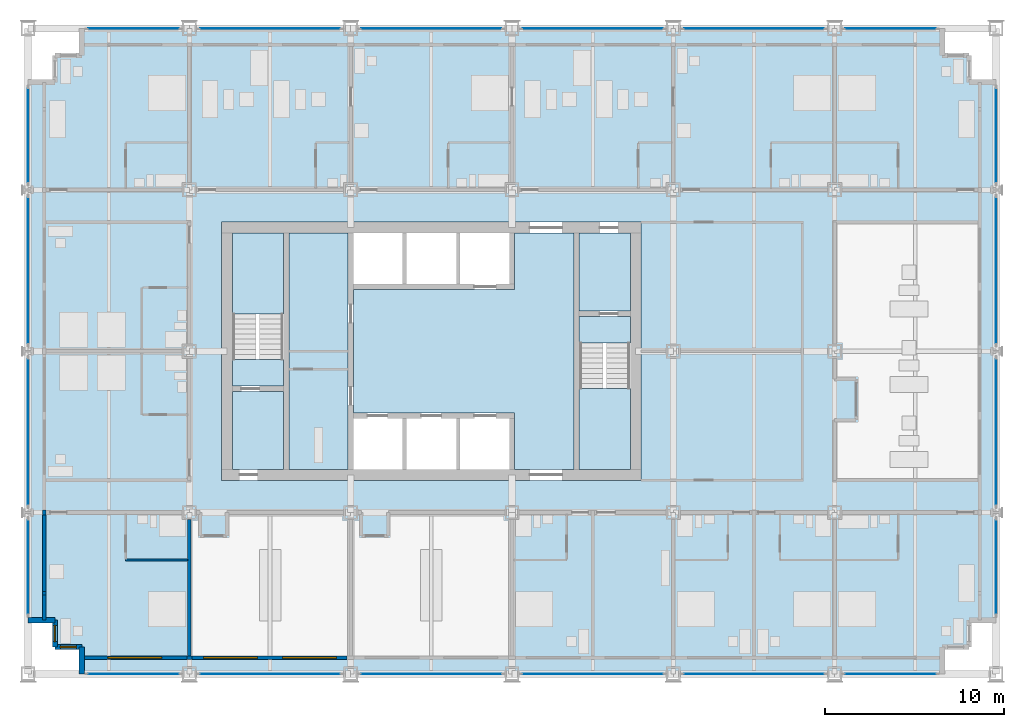
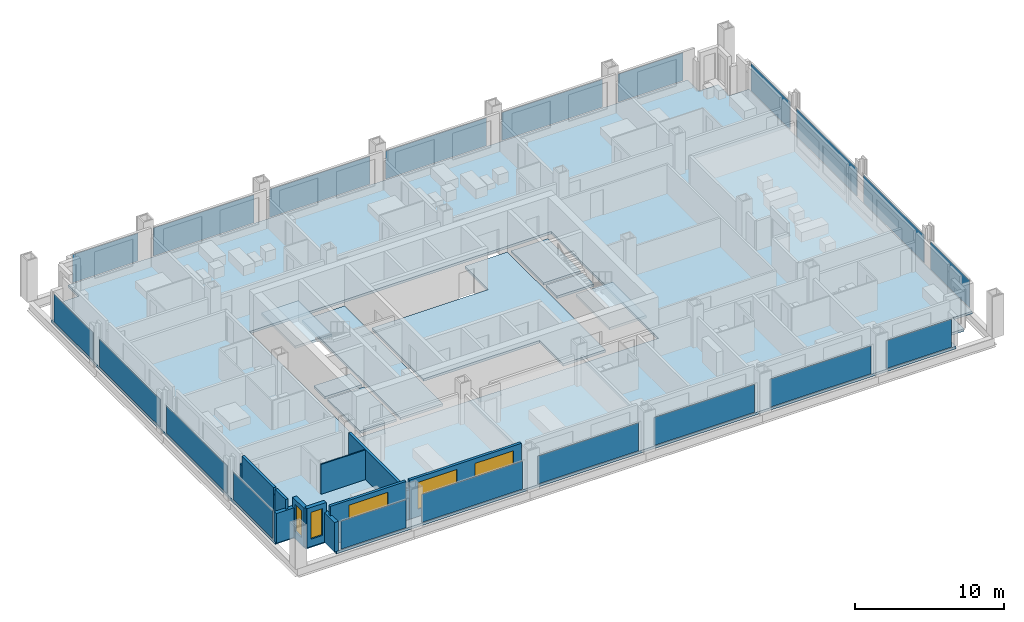
# One storey, part 9 of 18: 20 plates, 13 walls, 9 slabs, 5 windows, 5 openings, 22 elements without a shape of their own.
"""IFC4 building model written with IfcOpenShell, lengths in metres."""

from ifc_helpers import new_model, si_unit, direction, frame, frame_2d, origin, origin_2d, place, context, subcontext, project, spatial, polyline, rectangle, outline, extrude, material, layer, layer_set, type_object, element, fill, aggregate, save


model = new_model("IFC4")

# Units and contexts
model_context = context("Model", 3, precision=1e-05, world=origin(), true_north=direction((0.0, 1.0)))
body_context = subcontext(model_context, "Body", "Model", "MODEL_VIEW")
ifc_project = project(units=[si_unit("LENGTHUNIT", "METRE"), si_unit("AREAUNIT", "SQUARE_METRE"), si_unit("VOLUMEUNIT", "CUBIC_METRE"), si_unit("PLANEANGLEUNIT", "RADIAN"), si_unit("MASSUNIT", "GRAM", prefix="KILO")], contexts=[model_context])

# Site, building, storey
site_placement = place(None, origin())
site = spatial("IfcSite", under=ifc_project, at=site_placement, CompositionType="ELEMENT")
building_placement = place(site_placement, origin())
building = spatial("IfcBuilding", under=site, at=building_placement, Name="Loomwork Tower", CompositionType="ELEMENT")
storey_placement = place(building_placement, frame((0.0, 0.0, 28.0)))
storey = spatial("IfcBuildingStorey", under=building, at=storey_placement, Name="L05", CompositionType="ELEMENT", Elevation=28.0)

# Slabs
ifc_material_1 = material(Name="Concrete 5000 psi (34 MPa) on composite metal deck", Category="concrete")
ifc_layer_1 = layer(ifc_material_1, 0.199951171875)
ifc_layer_set_1 = layer_set([ifc_layer_1], Name="Floor slab 200")
slab_type_1 = type_object("IfcSlabType", Name="Floor slab 200", PredefinedType="FLOOR", material=ifc_layer_set_1)
slab_1_placement = place(storey_placement, frame((0.0, 0.0, -0.199951171875)))
element("IfcSlab", 1, at=slab_1_placement, inside=storey, type_object=slab_type_1, Name="Floor slab L05", PredefinedType="FLOOR", context=body_context, shape_type="SweptSolid", body=[
    extrude(outline(polyline([(3.0, 1.5), (1.5, 1.5), (1.5, 3.0), (0.0, 3.0), (0.0, 33.0), (1.5, 33.0), (1.5, 34.5), (3.0, 34.5), (3.0, 36.0), (51.0, 36.0), (51.0, 34.5), (52.5, 34.5), (52.5, 33.0), (54.0, 33.0), (54.0, 3.0), (52.5, 3.0), (52.5, 1.5), (51.0, 1.5), (51.0, 0.0), (3.0, 0.0), (3.0, 1.5)]), holes=[polyline([(10.800048828125, 11.39990234375), (10.800048828125, 11.39990234375), (10.800048828125, 10.800048828125), (34.199951171875, 10.800048828125), (34.199951171875, 11.39990234375), (34.199951171875, 11.39990234375), (34.199951171875, 24.60009765625), (34.199951171875, 25.199951171875), (10.800048828125, 25.199951171875), (10.800048828125, 24.60009765625), (10.800048828125, 11.39990234375)])]), origin(), (0.0, 0.0, 1.0), 0.199951171875),
])
slab_2_placement = place(storey_placement, frame((0.0, 0.0, -0.199951171875)))
element("IfcSlab", 2, at=slab_2_placement, inside=storey, type_object=slab_type_1, Name="Floor slab L05", PredefinedType="FLOOR", context=body_context, shape_type="SweptSolid", body=[
    extrude(outline(polyline([(30.449951171875, 24.60009765625), (30.449951171875, 11.39990234375), (27.14990234375, 11.39990234375), (27.14990234375, 14.25), (27.14990234375, 14.550048828125), (18.14990234375, 14.550048828125), (18.14990234375, 21.449951171875), (27.14990234375, 21.449951171875), (27.14990234375, 21.75), (27.14990234375, 24.60009765625), (30.449951171875, 24.60009765625)])), origin(), (0.0, 0.0, 1.0), 0.199951171875),
])
slab_3_placement = place(storey_placement, frame((0.0, 0.0, -0.199951171875)))
element("IfcSlab", 3, at=slab_3_placement, inside=storey, type_object=slab_type_1, Name="Floor slab L05", PredefinedType="FLOOR", context=body_context, shape_type="SweptSolid", body=[
    extrude(outline(polyline([(14.550048828125, 11.39990234375), (14.550048828125, 24.60009765625), (17.85009765625, 24.60009765625), (17.85009765625, 11.39990234375), (14.550048828125, 11.39990234375)])), origin(), (0.0, 0.0, 1.0), 0.199951171875),
])
slab_4_placement = place(storey_placement, frame((0.0, 0.0, -0.199951171875)))
element("IfcSlab", 4, at=slab_4_placement, inside=storey, type_object=slab_type_1, Name="Floor slab L05", PredefinedType="FLOOR", context=body_context, shape_type="SweptSolid", body=[
    extrude(outline(polyline([(33.60009765625, 20.25), (30.75, 20.25), (30.75, 24.60009765625), (33.60009765625, 24.60009765625), (33.60009765625, 20.25)])), origin(), (0.0, 0.0, 1.0), 0.199951171875),
])
slab_5_placement = place(storey_placement, frame((0.0, 0.0, -0.199951171875)))
element("IfcSlab", 5, at=slab_5_placement, inside=storey, type_object=slab_type_1, Name="Floor slab L05", PredefinedType="FLOOR", context=body_context, shape_type="SweptSolid", body=[
    extrude(outline(polyline([(14.25, 15.75), (14.25, 11.39990234375), (11.39990234375, 11.39990234375), (11.39990234375, 15.75), (14.25, 15.75)])), origin(), (0.0, 0.0, 1.0), 0.199951171875),
])

# Curtain wall, plate
ifc_material_2 = material(Name="Aluminium curtain wall frame", Category="aluminium")
curtain_wall_type = type_object("IfcCurtainWallType", Name="Outer skin glazing hotel", PredefinedType="NOTDEFINED", material=ifc_material_2)
curtain_wall_1_placement = place(storey_placement, origin())
curtain_wall_1 = element("IfcCurtainWall", 6, at=curtain_wall_1_placement, inside=storey, type_object=curtain_wall_type, Name="Outer skin glazing hotel cw/S-0", PredefinedType="NOTDEFINED")
ifc_material_3 = material(Name="Clear laminated glass", Category="glass")
ifc_layer_2 = layer(ifc_material_3, 0.02392578125)
ifc_layer_set_2 = layer_set([ifc_layer_2], Name="Outer skin glazing hotel panel")
plate_type = type_object("IfcPlateType", Name="Outer skin glazing hotel panel", PredefinedType="CURTAIN_PANEL", material=ifc_layer_set_2)
plate_1_placement = place(storey_placement, frame((5.875, 0.0, 0.06494140625), z_axis=(0.0, 0.0, 1.0), x_axis=(1.0, 0.0, 0.0)))
plate_1 = element("IfcPlate", 7, at=plate_1_placement, type_object=plate_type, Name="CW1 panel 1.1", PredefinedType="CURTAIN_PANEL", context=body_context, shape_type="SweptSolid", body=[
    extrude(rectangle(XDim=5.050048828125, YDim=0.02392578125, at=origin_2d()), origin(), (0.0, 0.0, 1.0), 2.290283203125),
])
aggregate(curtain_wall_1, [plate_1])

curtain_wall_2_placement = place(storey_placement, origin())
curtain_wall_2 = element("IfcCurtainWall", 8, at=curtain_wall_2_placement, inside=storey, type_object=curtain_wall_type, Name="Outer skin glazing hotel cw/S-9", PredefinedType="NOTDEFINED")
plate_2_placement = place(storey_placement, frame((13.5, 0.0, 0.06494140625), z_axis=(0.0, 0.0, 1.0), x_axis=(1.0, 0.0, 0.0)))
plate_2 = element("IfcPlate", 9, at=plate_2_placement, type_object=plate_type, Name="CW1 panel 1.1", PredefinedType="CURTAIN_PANEL", context=body_context, shape_type="SweptSolid", body=[
    extrude(rectangle(XDim=7.800048828125, YDim=0.02392578125, at=origin_2d()), origin(), (0.0, 0.0, 1.0), 2.290283203125),
])
aggregate(curtain_wall_2, [plate_2])

curtain_wall_3_placement = place(storey_placement, origin())
curtain_wall_3 = element("IfcCurtainWall", 10, at=curtain_wall_3_placement, inside=storey, type_object=curtain_wall_type, Name="Outer skin glazing hotel cw/S-18", PredefinedType="NOTDEFINED")
plate_3_placement = place(storey_placement, frame((22.5, 0.0, 0.06494140625), z_axis=(0.0, 0.0, 1.0), x_axis=(1.0, 0.0, 0.0)))
plate_3 = element("IfcPlate", 11, at=plate_3_placement, type_object=plate_type, Name="CW1 panel 1.1", PredefinedType="CURTAIN_PANEL", context=body_context, shape_type="SweptSolid", body=[
    extrude(rectangle(XDim=7.800048828125, YDim=0.02392578125, at=origin_2d()), origin(), (0.0, 0.0, 1.0), 2.290283203125),
])
aggregate(curtain_wall_3, [plate_3])

curtain_wall_4_placement = place(storey_placement, origin())
curtain_wall_4 = element("IfcCurtainWall", 12, at=curtain_wall_4_placement, inside=storey, type_object=curtain_wall_type, Name="Outer skin glazing hotel cw/S-27", PredefinedType="NOTDEFINED")
plate_4_placement = place(storey_placement, frame((31.5, 0.0, 0.06494140625), z_axis=(0.0, 0.0, 1.0), x_axis=(1.0, 0.0, 0.0)))
plate_4 = element("IfcPlate", 13, at=plate_4_placement, type_object=plate_type, Name="CW1 panel 1.1", PredefinedType="CURTAIN_PANEL", context=body_context, shape_type="SweptSolid", body=[
    extrude(rectangle(XDim=7.800048828125, YDim=0.02392578125, at=origin_2d()), origin(), (0.0, 0.0, 1.0), 2.290283203125),
])
aggregate(curtain_wall_4, [plate_4])

curtain_wall_5_placement = place(storey_placement, origin())
curtain_wall_5 = element("IfcCurtainWall", 14, at=curtain_wall_5_placement, inside=storey, type_object=curtain_wall_type, Name="Outer skin glazing hotel cw/S-36", PredefinedType="NOTDEFINED")
plate_5_placement = place(storey_placement, frame((40.5, 0.0, 0.06494140625), z_axis=(0.0, 0.0, 1.0), x_axis=(1.0, 0.0, 0.0)))
plate_5 = element("IfcPlate", 15, at=plate_5_placement, type_object=plate_type, Name="CW1 panel 1.1", PredefinedType="CURTAIN_PANEL", context=body_context, shape_type="SweptSolid", body=[
    extrude(rectangle(XDim=7.800048828125, YDim=0.02392578125, at=origin_2d()), origin(), (0.0, 0.0, 1.0), 2.290283203125),
])
aggregate(curtain_wall_5, [plate_5])

curtain_wall_6_placement = place(storey_placement, origin())
curtain_wall_6 = element("IfcCurtainWall", 16, at=curtain_wall_6_placement, inside=storey, type_object=curtain_wall_type, Name="Outer skin glazing hotel cw/S-45", PredefinedType="NOTDEFINED")
plate_6_placement = place(storey_placement, frame((48.125, 0.0, 0.06494140625), z_axis=(0.0, 0.0, 1.0), x_axis=(1.0, 0.0, 0.0)))
plate_6 = element("IfcPlate", 17, at=plate_6_placement, type_object=plate_type, Name="CW1 panel 1.1", PredefinedType="CURTAIN_PANEL", context=body_context, shape_type="SweptSolid", body=[
    extrude(rectangle(XDim=5.050048828125, YDim=0.02392578125, at=origin_2d()), origin(), (0.0, 0.0, 1.0), 2.290283203125),
])
aggregate(curtain_wall_6, [plate_6])

curtain_wall_7_placement = place(storey_placement, origin())
curtain_wall_7 = element("IfcCurtainWall", 18, at=curtain_wall_7_placement, inside=storey, type_object=curtain_wall_type, Name="Outer skin glazing hotel cw/N-0", PredefinedType="NOTDEFINED")
plate_7_placement = place(storey_placement, frame((5.875, 36.0, 0.06494140625), z_axis=(0.0, 0.0, 1.0), x_axis=(-1.0, 0.0, 0.0)))
plate_7 = element("IfcPlate", 19, at=plate_7_placement, type_object=plate_type, Name="CW1 panel 1.1", PredefinedType="CURTAIN_PANEL", context=body_context, shape_type="SweptSolid", body=[
    extrude(rectangle(XDim=5.050048828125, YDim=0.02392578125, at=origin_2d()), origin(), (0.0, 0.0, 1.0), 2.290283203125),
])
aggregate(curtain_wall_7, [plate_7])

curtain_wall_8_placement = place(storey_placement, origin())
curtain_wall_8 = element("IfcCurtainWall", 20, at=curtain_wall_8_placement, inside=storey, type_object=curtain_wall_type, Name="Outer skin glazing hotel cw/N-9", PredefinedType="NOTDEFINED")
plate_8_placement = place(storey_placement, frame((13.5, 36.0, 0.06494140625), z_axis=(0.0, 0.0, 1.0), x_axis=(-1.0, 0.0, 0.0)))
plate_8 = element("IfcPlate", 21, at=plate_8_placement, type_object=plate_type, Name="CW1 panel 1.1", PredefinedType="CURTAIN_PANEL", context=body_context, shape_type="SweptSolid", body=[
    extrude(rectangle(XDim=7.800048828125, YDim=0.02392578125, at=origin_2d()), origin(), (0.0, 0.0, 1.0), 2.290283203125),
])
aggregate(curtain_wall_8, [plate_8])

curtain_wall_9_placement = place(storey_placement, origin())
curtain_wall_9 = element("IfcCurtainWall", 22, at=curtain_wall_9_placement, inside=storey, type_object=curtain_wall_type, Name="Outer skin glazing hotel cw/N-18", PredefinedType="NOTDEFINED")
plate_9_placement = place(storey_placement, frame((22.5, 36.0, 0.06494140625), z_axis=(0.0, 0.0, 1.0), x_axis=(-1.0, 0.0, 0.0)))
plate_9 = element("IfcPlate", 23, at=plate_9_placement, type_object=plate_type, Name="CW1 panel 1.1", PredefinedType="CURTAIN_PANEL", context=body_context, shape_type="SweptSolid", body=[
    extrude(rectangle(XDim=7.800048828125, YDim=0.02392578125, at=origin_2d()), origin(), (0.0, 0.0, 1.0), 2.290283203125),
])
aggregate(curtain_wall_9, [plate_9])

curtain_wall_10_placement = place(storey_placement, origin())
curtain_wall_10 = element("IfcCurtainWall", 24, at=curtain_wall_10_placement, inside=storey, type_object=curtain_wall_type, Name="Outer skin glazing hotel cw/N-27", PredefinedType="NOTDEFINED")
plate_10_placement = place(storey_placement, frame((31.5, 36.0, 0.06494140625), z_axis=(0.0, 0.0, 1.0), x_axis=(-1.0, 0.0, 0.0)))
plate_10 = element("IfcPlate", 25, at=plate_10_placement, type_object=plate_type, Name="CW1 panel 1.1", PredefinedType="CURTAIN_PANEL", context=body_context, shape_type="SweptSolid", body=[
    extrude(rectangle(XDim=7.800048828125, YDim=0.02392578125, at=origin_2d()), origin(), (0.0, 0.0, 1.0), 2.290283203125),
])
aggregate(curtain_wall_10, [plate_10])

curtain_wall_11_placement = place(storey_placement, origin())
curtain_wall_11 = element("IfcCurtainWall", 26, at=curtain_wall_11_placement, inside=storey, type_object=curtain_wall_type, Name="Outer skin glazing hotel cw/N-36", PredefinedType="NOTDEFINED")
plate_11_placement = place(storey_placement, frame((40.5, 36.0, 0.06494140625), z_axis=(0.0, 0.0, 1.0), x_axis=(-1.0, 0.0, 0.0)))
plate_11 = element("IfcPlate", 27, at=plate_11_placement, type_object=plate_type, Name="CW1 panel 1.1", PredefinedType="CURTAIN_PANEL", context=body_context, shape_type="SweptSolid", body=[
    extrude(rectangle(XDim=7.800048828125, YDim=0.02392578125, at=origin_2d()), origin(), (0.0, 0.0, 1.0), 2.290283203125),
])
aggregate(curtain_wall_11, [plate_11])

curtain_wall_12_placement = place(storey_placement, origin())
curtain_wall_12 = element("IfcCurtainWall", 28, at=curtain_wall_12_placement, inside=storey, type_object=curtain_wall_type, Name="Outer skin glazing hotel cw/N-45", PredefinedType="NOTDEFINED")
plate_12_placement = place(storey_placement, frame((48.125, 36.0, 0.06494140625), z_axis=(0.0, 0.0, 1.0), x_axis=(-1.0, 0.0, 0.0)))
plate_12 = element("IfcPlate", 29, at=plate_12_placement, type_object=plate_type, Name="CW1 panel 1.1", PredefinedType="CURTAIN_PANEL", context=body_context, shape_type="SweptSolid", body=[
    extrude(rectangle(XDim=5.050048828125, YDim=0.02392578125, at=origin_2d()), origin(), (0.0, 0.0, 1.0), 2.290283203125),
])
aggregate(curtain_wall_12, [plate_12])

curtain_wall_13_placement = place(storey_placement, origin())
curtain_wall_13 = element("IfcCurtainWall", 30, at=curtain_wall_13_placement, inside=storey, type_object=curtain_wall_type, Name="Outer skin glazing hotel cw/W-0", PredefinedType="NOTDEFINED")
plate_13_placement = place(storey_placement, frame((0.0, 5.95556640625, 0.06494140625), z_axis=(0.0, 0.0, 1.0), x_axis=(0.0, -1.0, 0.0)))
plate_13 = element("IfcPlate", 31, at=plate_13_placement, type_object=plate_type, Name="CW1 panel 1.1", PredefinedType="CURTAIN_PANEL", context=body_context, shape_type="SweptSolid", body=[
    extrude(rectangle(XDim=5.211181640625, YDim=0.02392578125, at=origin_2d()), origin(), (0.0, 0.0, 1.0), 2.290283203125),
])
aggregate(curtain_wall_13, [plate_13])

curtain_wall_14_placement = place(storey_placement, origin())
curtain_wall_14 = element("IfcCurtainWall", 32, at=curtain_wall_14_placement, inside=storey, type_object=curtain_wall_type, Name="Outer skin glazing hotel cw/W-9", PredefinedType="NOTDEFINED")
plate_14_placement = place(storey_placement, frame((0.0, 13.5, 0.06494140625), z_axis=(0.0, 0.0, 1.0), x_axis=(0.0, -1.0, 0.0)))
plate_14 = element("IfcPlate", 33, at=plate_14_placement, type_object=plate_type, Name="CW1 panel 1.1", PredefinedType="CURTAIN_PANEL", context=body_context, shape_type="SweptSolid", body=[
    extrude(rectangle(XDim=8.122314453125, YDim=0.02392578125, at=origin_2d()), origin(), (0.0, 0.0, 1.0), 2.290283203125),
])
aggregate(curtain_wall_14, [plate_14])

curtain_wall_15_placement = place(storey_placement, origin())
curtain_wall_15 = element("IfcCurtainWall", 34, at=curtain_wall_15_placement, inside=storey, type_object=curtain_wall_type, Name="Outer skin glazing hotel cw/W-18", PredefinedType="NOTDEFINED")
plate_15_placement = place(storey_placement, frame((0.0, 22.5, 0.06494140625), z_axis=(0.0, 0.0, 1.0), x_axis=(0.0, -1.0, 0.0)))
plate_15 = element("IfcPlate", 35, at=plate_15_placement, type_object=plate_type, Name="CW1 panel 1.1", PredefinedType="CURTAIN_PANEL", context=body_context, shape_type="SweptSolid", body=[
    extrude(rectangle(XDim=8.122314453125, YDim=0.02392578125, at=origin_2d()), origin(), (0.0, 0.0, 1.0), 2.290283203125),
])
aggregate(curtain_wall_15, [plate_15])

curtain_wall_16_placement = place(storey_placement, origin())
curtain_wall_16 = element("IfcCurtainWall", 36, at=curtain_wall_16_placement, inside=storey, type_object=curtain_wall_type, Name="Outer skin glazing hotel cw/W-27", PredefinedType="NOTDEFINED")
plate_16_placement = place(storey_placement, frame((0.0, 30.04443359375, 0.06494140625), z_axis=(0.0, 0.0, 1.0), x_axis=(0.0, -1.0, 0.0)))
plate_16 = element("IfcPlate", 37, at=plate_16_placement, type_object=plate_type, Name="CW1 panel 1.1", PredefinedType="CURTAIN_PANEL", context=body_context, shape_type="SweptSolid", body=[
    extrude(rectangle(XDim=5.211181640625, YDim=0.02392578125, at=origin_2d()), origin(), (0.0, 0.0, 1.0), 2.290283203125),
])
aggregate(curtain_wall_16, [plate_16])

curtain_wall_17_placement = place(storey_placement, origin())
curtain_wall_17 = element("IfcCurtainWall", 38, at=curtain_wall_17_placement, inside=storey, type_object=curtain_wall_type, Name="Outer skin glazing hotel cw/E-0", PredefinedType="NOTDEFINED")
plate_17_placement = place(storey_placement, frame((54.0, 5.95556640625, 0.06494140625), z_axis=(0.0, 0.0, 1.0), x_axis=(0.0, 1.0, 0.0)))
plate_17 = element("IfcPlate", 39, at=plate_17_placement, type_object=plate_type, Name="CW1 panel 1.1", PredefinedType="CURTAIN_PANEL", context=body_context, shape_type="SweptSolid", body=[
    extrude(rectangle(XDim=5.211181640625, YDim=0.02392578125, at=origin_2d()), origin(), (0.0, 0.0, 1.0), 2.290283203125),
])
aggregate(curtain_wall_17, [plate_17])

curtain_wall_18_placement = place(storey_placement, origin())
curtain_wall_18 = element("IfcCurtainWall", 40, at=curtain_wall_18_placement, inside=storey, type_object=curtain_wall_type, Name="Outer skin glazing hotel cw/E-9", PredefinedType="NOTDEFINED")
plate_18_placement = place(storey_placement, frame((54.0, 13.5, 0.06494140625), z_axis=(0.0, 0.0, 1.0), x_axis=(0.0, 1.0, 0.0)))
plate_18 = element("IfcPlate", 41, at=plate_18_placement, type_object=plate_type, Name="CW1 panel 1.1", PredefinedType="CURTAIN_PANEL", context=body_context, shape_type="SweptSolid", body=[
    extrude(rectangle(XDim=8.122314453125, YDim=0.02392578125, at=origin_2d()), origin(), (0.0, 0.0, 1.0), 2.290283203125),
])
aggregate(curtain_wall_18, [plate_18])

curtain_wall_19_placement = place(storey_placement, origin())
curtain_wall_19 = element("IfcCurtainWall", 42, at=curtain_wall_19_placement, inside=storey, type_object=curtain_wall_type, Name="Outer skin glazing hotel cw/E-18", PredefinedType="NOTDEFINED")
plate_19_placement = place(storey_placement, frame((54.0, 22.5, 0.06494140625), z_axis=(0.0, 0.0, 1.0), x_axis=(0.0, 1.0, 0.0)))
plate_19 = element("IfcPlate", 43, at=plate_19_placement, type_object=plate_type, Name="CW1 panel 1.1", PredefinedType="CURTAIN_PANEL", context=body_context, shape_type="SweptSolid", body=[
    extrude(rectangle(XDim=8.122314453125, YDim=0.02392578125, at=origin_2d()), origin(), (0.0, 0.0, 1.0), 2.290283203125),
])
aggregate(curtain_wall_19, [plate_19])

curtain_wall_20_placement = place(storey_placement, origin())
curtain_wall_20 = element("IfcCurtainWall", 44, at=curtain_wall_20_placement, inside=storey, type_object=curtain_wall_type, Name="Outer skin glazing hotel cw/E-27", PredefinedType="NOTDEFINED")
plate_20_placement = place(storey_placement, frame((54.0, 30.04443359375, 0.06494140625), z_axis=(0.0, 0.0, 1.0), x_axis=(0.0, 1.0, 0.0)))
plate_20 = element("IfcPlate", 45, at=plate_20_placement, type_object=plate_type, Name="CW1 panel 1.1", PredefinedType="CURTAIN_PANEL", context=body_context, shape_type="SweptSolid", body=[
    extrude(rectangle(XDim=5.211181640625, YDim=0.02392578125, at=origin_2d()), origin(), (0.0, 0.0, 1.0), 2.290283203125),
])
aggregate(curtain_wall_20, [plate_20])

# Stair, slabs
ifc_material_4 = material(Name="Concrete 5000 psi (34 MPa) precast stair", Category="concrete")
stair_type_1 = type_object("IfcStairType", Name="Stair ST-A 20 risers 2850 wide", PredefinedType="HALF_TURN_STAIR", material=ifc_material_4)
stair_1_placement = place(storey_placement, origin())
stair_1 = element("IfcStair", 46, at=stair_1_placement, inside=storey, type_object=stair_type_1, Name="Stair A L05", PredefinedType="HALF_TURN_STAIR")
ifc_material_5 = material(Name="Concrete 5000 psi (34 MPa)", Category="concrete")
ifc_layer_3 = layer(ifc_material_5, 0.199951171875)
ifc_layer_set_3 = layer_set([ifc_layer_3], Name="Stair landing 200")
slab_type_2 = type_object("IfcSlabType", Name="Stair landing 200", PredefinedType="LANDING", material=ifc_layer_set_3)
slab_6_placement = place(storey_placement, frame((0.0, 0.0, -0.199951171875)))
slab_6 = element("IfcSlab", 47, at=slab_6_placement, type_object=slab_type_2, Name="ST-A landing 1", PredefinedType="LANDING", context=body_context, shape_type="SweptSolid", body=[
    extrude(outline(polyline([(11.39990234375, 16.050048828125), (14.25, 16.050048828125), (14.25, 17.550048828125), (11.39990234375, 17.550048828125), (11.39990234375, 16.050048828125)])), origin(), (0.0, 0.0, 1.0), 0.199951171875),
])
slab_7_placement = place(storey_placement, frame((0.0, 0.0, 1.5)))
slab_7 = element("IfcSlab", 48, at=slab_7_placement, type_object=slab_type_2, Name="ST-A landing 2", PredefinedType="LANDING", context=body_context, shape_type="SweptSolid", body=[
    extrude(outline(polyline([(11.39990234375, 20.070068359375), (14.25, 20.070068359375), (14.25, 24.60009765625), (11.39990234375, 24.60009765625), (11.39990234375, 20.070068359375)])), origin(), (0.0, 0.0, 1.0), 0.199951171875),
])
aggregate(stair_1, [slab_6, slab_7])

ifc_material_6 = material(Name="Concrete 5000 psi (34 MPa) precast stair", Category="concrete")
stair_type_2 = type_object("IfcStairType", Name="Stair ST-B 20 risers 2850 wide", PredefinedType="HALF_TURN_STAIR", material=ifc_material_6)
stair_2_placement = place(storey_placement, origin())
stair_2 = element("IfcStair", 49, at=stair_2_placement, inside=storey, type_object=stair_type_2, Name="Stair B L05", PredefinedType="HALF_TURN_STAIR")
slab_8_placement = place(storey_placement, frame((0.0, 0.0, -0.199951171875)))
slab_8 = element("IfcSlab", 50, at=slab_8_placement, type_object=slab_type_2, Name="ST-B landing 1", PredefinedType="LANDING", context=body_context, shape_type="SweptSolid", body=[
    extrude(outline(polyline([(30.75, 18.449951171875), (33.60009765625, 18.449951171875), (33.60009765625, 19.949951171875), (30.75, 19.949951171875), (30.75, 18.449951171875)])), origin(), (0.0, 0.0, 1.0), 0.199951171875),
])
slab_9_placement = place(storey_placement, frame((0.0, 0.0, 1.5)))
slab_9 = element("IfcSlab", 51, at=slab_9_placement, type_object=slab_type_2, Name="ST-B landing 2", PredefinedType="LANDING", context=body_context, shape_type="SweptSolid", body=[
    extrude(outline(polyline([(30.75, 11.39990234375), (33.60009765625, 11.39990234375), (33.60009765625, 15.929931640625), (30.75, 15.929931640625), (30.75, 11.39990234375)])), origin(), (0.0, 0.0, 1.0), 0.199951171875),
])
aggregate(stair_2, [slab_8, slab_9])

# Walls
ifc_material_7 = material(Name="Cement board on steel studs", Category="steel")
ifc_layer_4 = layer(ifc_material_7, 0.10009765625)
ifc_layer_set_4 = layer_set([ifc_layer_4], Name="En-suite partition 100")
wall_type_1 = type_object("IfcWallType", Name="En-suite partition 100", PredefinedType="PARTITIONING", material=ifc_layer_set_4)
wall_1_placement = place(storey_placement, frame((5.449951171875, 6.35009765625, 0.0), z_axis=(0.0, 0.0, 1.0), x_axis=(1.0, 0.0, 0.0)))
element("IfcWall", 52, at=wall_1_placement, inside=storey, type_object=wall_type_1, Name="En-suite wall L05 room 1", PredefinedType="PARTITIONING", context=body_context, shape_type="SweptSolid", body=[
    extrude(rectangle(XDim=3.449951171875, YDim=0.10009765625, at=frame_2d((1.72509765625, 0.0))), origin(), (0.0, 0.0, 1.0), 2.43798828125),
])
ifc_material_8 = material(Name="Gypsum board on steel studs, acoustic", Category="steel")
ifc_layer_5 = layer(ifc_material_8, 0.199951171875)
ifc_layer_set_5 = layer_set([ifc_layer_5], Name="Guest room party wall 200")
wall_type_2 = type_object("IfcWallType", Name="Guest room party wall 200", PredefinedType="PARTITIONING", material=ifc_layer_set_5)
wall_2_placement = place(storey_placement, frame((9.0, 8.60009765625, 0.0), z_axis=(0.0, 0.0, 1.0), x_axis=(0.0, -1.0, 0.0)))
element("IfcWall", 53, at=wall_2_placement, inside=storey, type_object=wall_type_2, Name="Guest room party wall S 9", PredefinedType="PARTITIONING", context=body_context, shape_type="SweptSolid", body=[
    extrude(rectangle(XDim=7.60009765625, YDim=0.199951171875, at=frame_2d((3.800048828125, 0.0))), origin(), (0.0, 0.0, 1.0), 2.43798828125),
])

# Wall, opening, window
ifc_material_9 = material(Name="Insulated steel stud wall with gypsum lining", Category="steel")
ifc_layer_6 = layer(ifc_material_9, 0.199951171875)
ifc_layer_set_6 = layer_set([ifc_layer_6], Name="Inner skin wall 200")
wall_type_3 = type_object("IfcWallType", Name="Inner skin wall 200", PredefinedType="SOLIDWALL", material=ifc_layer_set_6)
wall_3_placement = place(storey_placement, frame((3.0, 0.89990234375, 0.0), z_axis=(0.0, 0.0, 1.0), x_axis=(1.0, 0.0, 0.0)))
wall_3 = element("IfcWall", 54, at=wall_3_placement, inside=storey, type_object=wall_type_3, Name="Inner skin wall S", PredefinedType="SOLIDWALL", context=body_context, shape_type="SweptSolid", body=[
    extrude(rectangle(XDim=5.86474609375, YDim=0.199951171875, at=frame_2d((2.932373046875, 0.0))), origin(), (0.0, 0.0, 1.0), 3.199951171875),
])
opening_1_placement = place(wall_3_placement, frame((1.449951171875, 0.0, 0.60009765625)))
opening_1 = element("IfcOpeningElement", 55, at=opening_1_placement, cuts=wall_3, Name="Opening CH1", PredefinedType="OPENING", context=body_context, shape_type="SweptSolid", body=[
    extrude(rectangle(XDim=3.0, YDim=2.199951171875, at=frame_2d((1.5, 1.10009765625))), frame((0.0, 0.10986328125, 0.0), z_axis=(0.0, -1.0, 0.0), x_axis=(1.0, 0.0, 0.0)), (0.0, 0.0, 1.0), 0.219970703125),
])
ifc_material_10 = material(Name="Aluminium frame with clear insulated glass", Category="aluminium")
window_type_1 = type_object("IfcWindowType", Name="Chicago window 3000", PartitioningType="TRIPLE_PANEL_VERTICAL", PredefinedType="WINDOW", material=ifc_material_10)
window_1_placement = place(opening_1_placement, origin())
window_1 = element("IfcWindow", 56, at=window_1_placement, inside=storey, type_object=window_type_1, Name="Chicago window L05 bay 1", OverallHeight=2.199951171875, OverallWidth=3.0, PartitioningType="TRIPLE_PANEL_VERTICAL", PredefinedType="WINDOW", context=body_context, shape_type="SweptSolid", body=[
    extrude(rectangle(XDim=3.0, YDim=2.199951171875, at=frame_2d((1.5, 1.10009765625))), frame((0.0, 0.030029296875, 0.0), z_axis=(0.0, -1.0, 0.0), x_axis=(1.0, 0.0, 0.0)), (0.0, 0.0, 1.0), 0.06005859375),
])
fill(opening_1, window_1)

# Walls
wall_4_placement = place(storey_placement, frame((0.89990234375, 3.0, 0.0), z_axis=(0.0, 0.0, 1.0), x_axis=(0.0, 1.0, 0.0)))
element("IfcWall", 57, at=wall_4_placement, inside=storey, type_object=wall_type_3, Name="Inner skin wall W", PredefinedType="SOLIDWALL", context=body_context, shape_type="SweptSolid", body=[
    extrude(rectangle(XDim=1.392578125, YDim=0.199951171875, at=frame_2d((0.6962890625, 0.0))), origin(), (0.0, 0.0, 1.0), 3.199951171875),
])
wall_5_placement = place(storey_placement, frame((8.86474609375, 0.89990234375, 0.0), z_axis=(0.0, 0.0, 1.0), x_axis=(1.0, 0.0, 0.0)))
element("IfcWall", 58, at=wall_5_placement, inside=storey, type_object=wall_type_3, Name="Inner skin wall S bay 2", PredefinedType="SOLIDWALL", context=body_context, shape_type="SweptSolid", body=[
    extrude(rectangle(XDim=0.2705078125, YDim=0.199951171875, at=frame_2d((0.13525390625, 0.0))), origin(), (0.0, 0.0, 1.0), 2.43798828125),
])

# Wall, openings, windows
wall_6_placement = place(storey_placement, frame((9.13525390625, 0.89990234375, 0.0), z_axis=(0.0, 0.0, 1.0), x_axis=(1.0, 0.0, 0.0)))
wall_6 = element("IfcWall", 59, at=wall_6_placement, inside=storey, type_object=wall_type_3, Name="Inner skin wall S bay 3", PredefinedType="SOLIDWALL", context=body_context, shape_type="SweptSolid", body=[
    extrude(rectangle(XDim=8.6708984375, YDim=0.199951171875, at=frame_2d((4.33544921875, 0.0))), origin(), (0.0, 0.0, 1.0), 3.199951171875),
])
opening_2_placement = place(wall_6_placement, frame((0.664794921875, 0.0, 0.60009765625)))
opening_2 = element("IfcOpeningElement", 60, at=opening_2_placement, cuts=wall_6, Name="Opening CH1", PredefinedType="OPENING", context=body_context, shape_type="SweptSolid", body=[
    extrude(rectangle(XDim=3.0, YDim=2.199951171875, at=frame_2d((1.5, 1.10009765625))), frame((0.0, 0.10986328125, 0.0), z_axis=(0.0, -1.0, 0.0), x_axis=(1.0, 0.0, 0.0)), (0.0, 0.0, 1.0), 0.219970703125),
])
opening_3_placement = place(wall_6_placement, frame((5.064697265625, 0.0, 0.60009765625)))
opening_3 = element("IfcOpeningElement", 61, at=opening_3_placement, cuts=wall_6, Name="Opening CH1", PredefinedType="OPENING", context=body_context, shape_type="SweptSolid", body=[
    extrude(rectangle(XDim=3.0, YDim=2.199951171875, at=frame_2d((1.5, 1.10009765625))), frame((0.0, 0.10986328125, 0.0), z_axis=(0.0, -1.0, 0.0), x_axis=(1.0, 0.0, 0.0)), (0.0, 0.0, 1.0), 0.219970703125),
])
window_2_placement = place(opening_2_placement, origin())
window_2 = element("IfcWindow", 62, at=window_2_placement, inside=storey, type_object=window_type_1, Name="Chicago window L05 bay 2", OverallHeight=2.199951171875, OverallWidth=3.0, PartitioningType="TRIPLE_PANEL_VERTICAL", PredefinedType="WINDOW", context=body_context, shape_type="SweptSolid", body=[
    extrude(rectangle(XDim=3.0, YDim=2.199951171875, at=frame_2d((1.5, 1.10009765625))), frame((0.0, 0.030029296875, 0.0), z_axis=(0.0, -1.0, 0.0), x_axis=(1.0, 0.0, 0.0)), (0.0, 0.0, 1.0), 0.06005859375),
])
fill(opening_2, window_2)
window_3_placement = place(opening_3_placement, origin())
window_3 = element("IfcWindow", 63, at=window_3_placement, inside=storey, type_object=window_type_1, Name="Chicago window L05 bay 2", OverallHeight=2.199951171875, OverallWidth=3.0, PartitioningType="TRIPLE_PANEL_VERTICAL", PredefinedType="WINDOW", context=body_context, shape_type="SweptSolid", body=[
    extrude(rectangle(XDim=3.0, YDim=2.199951171875, at=frame_2d((1.5, 1.10009765625))), frame((0.0, 0.030029296875, 0.0), z_axis=(0.0, -1.0, 0.0), x_axis=(1.0, 0.0, 0.0)), (0.0, 0.0, 1.0), 0.06005859375),
])
fill(opening_3, window_3)

# Walls
wall_7_placement = place(storey_placement, frame((0.89990234375, 4.392578125, 0.0), z_axis=(0.0, 0.0, 1.0), x_axis=(0.0, 1.0, 0.0)))
element("IfcWall", 64, at=wall_7_placement, inside=storey, type_object=wall_type_3, Name="Inner skin wall W bay 2", PredefinedType="SOLIDWALL", context=body_context, shape_type="SweptSolid", body=[
    extrude(rectangle(XDim=0.21484375, YDim=0.199951171875, at=frame_2d((0.107421875, 0.0))), origin(), (0.0, 0.0, 1.0), 2.660888671875),
])
wall_8_placement = place(storey_placement, frame((0.89990234375, 4.607421875, 0.0), z_axis=(0.0, 0.0, 1.0), x_axis=(0.0, 1.0, 0.0)))
element("IfcWall", 65, at=wall_8_placement, inside=storey, type_object=wall_type_3, Name="Inner skin wall W bay 3", PredefinedType="SOLIDWALL", context=body_context, shape_type="SweptSolid", body=[
    extrude(rectangle(XDim=4.25732421875, YDim=0.199951171875, at=frame_2d((2.128662109375, 0.0))), origin(), (0.0, 0.0, 1.0), 3.199951171875),
])
wall_9_placement = place(storey_placement, frame((0.89990234375, 8.86474609375, 0.0), z_axis=(0.0, 0.0, 1.0), x_axis=(0.0, 1.0, 0.0)))
element("IfcWall", 66, at=wall_9_placement, inside=storey, type_object=wall_type_3, Name="Inner skin wall W bay 4", PredefinedType="SOLIDWALL", context=body_context, shape_type="SweptSolid", body=[
    extrude(rectangle(XDim=0.2705078125, YDim=0.199951171875, at=frame_2d((0.13525390625, 0.0))), origin(), (0.0, 0.0, 1.0), 2.43798828125),
])
ifc_material_11 = material(Name="Limestone on concrete masonry", Category="masonry")
ifc_layer_7 = layer(ifc_material_11, 0.300048828125)
ifc_layer_set_7 = layer_set([ifc_layer_7], Name="Limestone corner wall 300")
wall_type_4 = type_object("IfcWallType", Name="Limestone corner wall 300", PredefinedType="SOLIDWALL", material=ifc_layer_set_7)
wall_10_placement = place(storey_placement, frame((0.0, 3.0, 0.0), z_axis=(0.0, 0.0, 1.0), x_axis=(1.0, 0.0, 0.0)))
element("IfcWall", 67, at=wall_10_placement, inside=storey, type_object=wall_type_4, Name="Stone corner wall SW 1", PredefinedType="SOLIDWALL", context=body_context, shape_type="SweptSolid", body=[
    extrude(rectangle(XDim=1.5, YDim=0.300048828125, at=frame_2d((0.75, 0.0))), origin(), (0.0, 0.0, 1.0), 2.419921875),
])

# Wall, opening, window
wall_11_placement = place(storey_placement, frame((1.5, 3.0, 0.0), z_axis=(0.0, 0.0, 1.0), x_axis=(0.0, -1.0, 0.0)))
wall_11 = element("IfcWall", 68, at=wall_11_placement, inside=storey, type_object=wall_type_4, Name="Stone corner wall SW 2", PredefinedType="SOLIDWALL", context=body_context, shape_type="SweptSolid", body=[
    extrude(rectangle(XDim=1.5, YDim=0.300048828125, at=frame_2d((0.75, 0.0))), origin(), (0.0, 0.0, 1.0), 3.199951171875),
])
opening_4_placement = place(wall_11_placement, frame((0.300048828125, 0.0, 0.60009765625)))
opening_4 = element("IfcOpeningElement", 69, at=opening_4_placement, cuts=wall_11, Name="Opening CH2", PredefinedType="OPENING", context=body_context, shape_type="SweptSolid", body=[
    extrude(rectangle(XDim=0.89990234375, YDim=2.199951171875, at=frame_2d((0.449951171875, 1.10009765625))), frame((0.0, 0.159912109375, 0.0), z_axis=(0.0, -1.0, 0.0), x_axis=(1.0, 0.0, 0.0)), (0.0, 0.0, 1.0), 0.320068359375),
])
ifc_material_12 = material(Name="Aluminium frame with clear insulated glass", Category="aluminium")
window_type_2 = type_object("IfcWindowType", Name="Corner window 900", PartitioningType="SINGLE_PANEL", PredefinedType="WINDOW", material=ifc_material_12)
window_4_placement = place(opening_4_placement, origin())
window_4 = element("IfcWindow", 70, at=window_4_placement, inside=storey, type_object=window_type_2, Name="Corner window SW", OverallHeight=2.199951171875, OverallWidth=0.89990234375, PartitioningType="SINGLE_PANEL", PredefinedType="WINDOW", context=body_context, shape_type="SweptSolid", body=[
    extrude(rectangle(XDim=0.89990234375, YDim=2.199951171875, at=frame_2d((0.449951171875, 1.10009765625))), frame((0.0, 0.030029296875, 0.0), z_axis=(0.0, -1.0, 0.0), x_axis=(1.0, 0.0, 0.0)), (0.0, 0.0, 1.0), 0.06005859375),
])
fill(opening_4, window_4)

wall_12_placement = place(storey_placement, frame((1.5, 1.5, 0.0), z_axis=(0.0, 0.0, 1.0), x_axis=(1.0, 0.0, 0.0)))
wall_12 = element("IfcWall", 71, at=wall_12_placement, inside=storey, type_object=wall_type_4, Name="Stone corner wall SW 3", PredefinedType="SOLIDWALL", context=body_context, shape_type="SweptSolid", body=[
    extrude(rectangle(XDim=1.5, YDim=0.300048828125, at=frame_2d((0.75, 0.0))), origin(), (0.0, 0.0, 1.0), 3.199951171875),
])
opening_5_placement = place(wall_12_placement, frame((0.300048828125, 0.0, 0.60009765625)))
opening_5 = element("IfcOpeningElement", 72, at=opening_5_placement, cuts=wall_12, Name="Opening CH2", PredefinedType="OPENING", context=body_context, shape_type="SweptSolid", body=[
    extrude(rectangle(XDim=0.89990234375, YDim=2.199951171875, at=frame_2d((0.449951171875, 1.10009765625))), frame((0.0, 0.159912109375, 0.0), z_axis=(0.0, -1.0, 0.0), x_axis=(1.0, 0.0, 0.0)), (0.0, 0.0, 1.0), 0.320068359375),
])
window_5_placement = place(opening_5_placement, origin())
window_5 = element("IfcWindow", 73, at=window_5_placement, inside=storey, type_object=window_type_2, Name="Corner window SW", OverallHeight=2.199951171875, OverallWidth=0.89990234375, PartitioningType="SINGLE_PANEL", PredefinedType="WINDOW", context=body_context, shape_type="SweptSolid", body=[
    extrude(rectangle(XDim=0.89990234375, YDim=2.199951171875, at=frame_2d((0.449951171875, 1.10009765625))), frame((0.0, 0.030029296875, 0.0), z_axis=(0.0, -1.0, 0.0), x_axis=(1.0, 0.0, 0.0)), (0.0, 0.0, 1.0), 0.06005859375),
])
fill(opening_5, window_5)

# Wall
wall_13_placement = place(storey_placement, frame((3.0, 1.5, 0.0), z_axis=(0.0, 0.0, 1.0), x_axis=(0.0, -1.0, 0.0)))
element("IfcWall", 74, at=wall_13_placement, inside=storey, type_object=wall_type_4, Name="Stone corner wall SW 4", PredefinedType="SOLIDWALL", context=body_context, shape_type="SweptSolid", body=[
    extrude(rectangle(XDim=1.5, YDim=0.300048828125, at=frame_2d((0.75, 0.0))), origin(), (0.0, 0.0, 1.0), 2.419921875),
])

save(model, "model.ifc")
